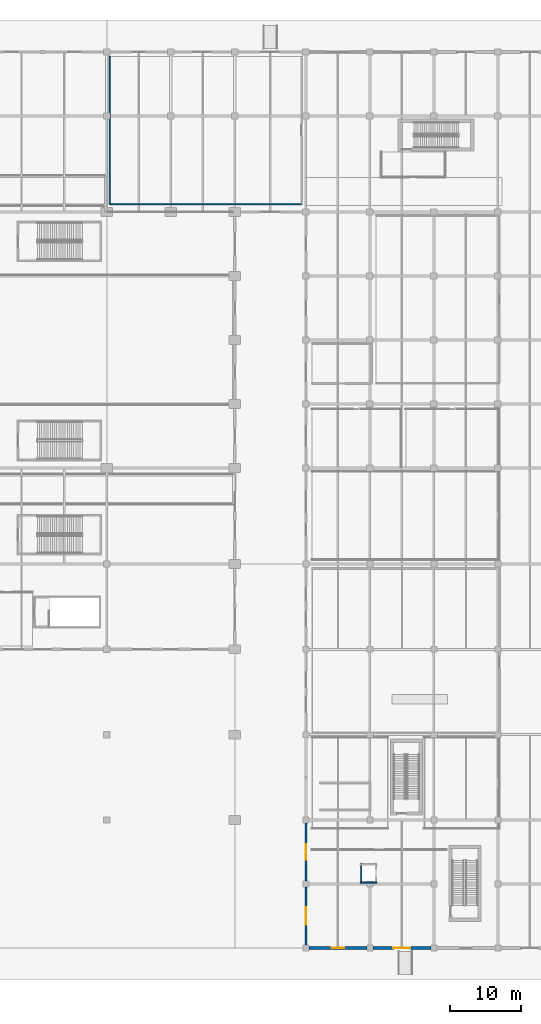
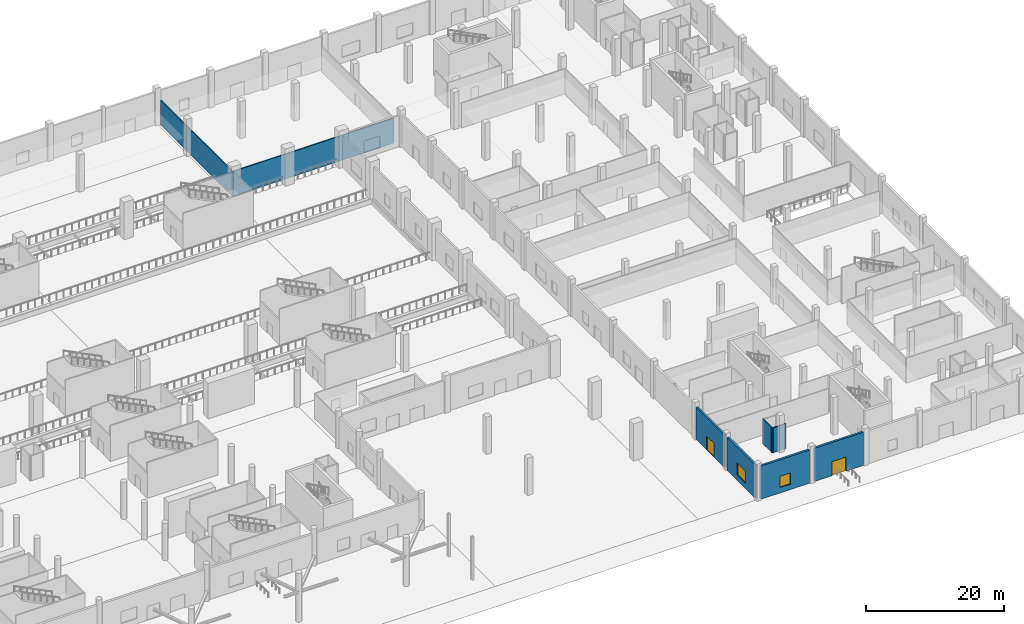
# One storey, part 21 of 65: 8 walls, 2 doors, 2 windows, 4 openings.
"""IFC4 building model written with IfcOpenShell, lengths in metres."""

from ifc_helpers import new_model, si_unit, direction, frame, frame_2d, origin, place, context, subcontext, project, spatial, rectangle, extrude, material, layer, layer_set, type_object, element, fill, save


model = new_model("IFC4")

# Units and contexts
model_context = context("Model", 3, precision=1e-05, world=origin(), true_north=direction((0.0, 1.0)))
body_context = subcontext(model_context, "Body", "Model", "MODEL_VIEW")
ifc_project = project(units=[si_unit("LENGTHUNIT", "METRE"), si_unit("AREAUNIT", "SQUARE_METRE"), si_unit("VOLUMEUNIT", "CUBIC_METRE"), si_unit("PLANEANGLEUNIT", "RADIAN"), si_unit("MASSUNIT", "GRAM", prefix="KILO")], contexts=[model_context])

# Site, building, storey
site_placement = place(None, origin())
site = spatial("IfcSite", under=ifc_project, at=site_placement, CompositionType="ELEMENT")
building_placement = place(site_placement, origin())
building = spatial("IfcBuilding", under=site, at=building_placement, Name="Chuanluo Vaults Station", CompositionType="ELEMENT")
storey_placement = place(building_placement, origin())
storey = spatial("IfcBuildingStorey", under=building, at=storey_placement, Name="L00", CompositionType="ELEMENT", Elevation=0.0)

# Wall, opening, window
ifc_material_1 = material(Name="Concrete C40", Category="concrete")
ifc_layer_1 = layer(ifc_material_1, 0.320068359375)
ifc_layer_set_1 = layer_set([ifc_layer_1], Name="Concrete C40")
wall_type_1 = type_object("IfcWallType", Name="WL-EXT-320", PredefinedType="SOLIDWALL", material=ifc_layer_set_1)
wall_1_placement = place(storey_placement, frame((136.0, 0.39990234375, 0.0), z_axis=(0.0, 0.0, 1.0), x_axis=(0.0, 1.0, 0.0)))
wall_1 = element("IfcWall", 1, at=wall_1_placement, inside=storey, type_object=wall_type_1, Name="Retail pavilion west wall 1", PredefinedType="SOLIDWALL", context=body_context, shape_type="SweptSolid", body=[
    extrude(rectangle(XDim=8.2001953125, YDim=0.320068359375, at=frame_2d((4.10009765625, 0.0))), origin(), (0.0, 0.0, 1.0), 5.875),
])
opening_1_placement = place(wall_1_placement, frame((2.89990234375, 0.0, 0.949951171875)))
opening_1 = element("IfcOpeningElement", 2, at=opening_1_placement, cuts=wall_1, Name="Opening W-18", PredefinedType="OPENING", context=body_context, shape_type="SweptSolid", body=[
    extrude(rectangle(XDim=2.39990234375, YDim=2.10009765625, at=frame_2d((1.199951171875, 1.050048828125))), frame((0.0, 0.17016, 0.0), z_axis=(0.0, -1.0, 0.0), x_axis=(1.0, 0.0, 0.0)), (0.0, 0.0, 1.0), 0.34007),
])
ifc_material_2 = material(Name="Double-silver Low-E laminated glass", Category="glass")
window_type_1 = type_object("IfcWindowType", Name="WN-RET-2400x2100", PartitioningType="SINGLE_PANEL", PredefinedType="WINDOW", material=ifc_material_2)
window_1_placement = place(opening_1_placement, origin())
window_1 = element("IfcWindow", 3, at=window_1_placement, inside=storey, type_object=window_type_1, Name="W-039 Ground streetwall window", OverallHeight=2.10009765625, OverallWidth=2.39990234375, PartitioningType="SINGLE_PANEL", PredefinedType="WINDOW", context=body_context, shape_type="SweptSolid", body=[
    extrude(rectangle(XDim=2.39990234375, YDim=2.10009765625, at=frame_2d((1.199951171875, 1.050048828125))), frame((0.0, 0.030029296875, 0.0), z_axis=(0.0, -1.0, 0.0), x_axis=(1.0, 0.0, 0.0)), (0.0, 0.0, 1.0), 0.06005859375),
])
fill(opening_1, window_1)

# Wall, opening, door
wall_2_placement = place(storey_placement, frame((136.0, 9.39990234375, 0.0), z_axis=(0.0, 0.0, 1.0), x_axis=(0.0, 1.0, 0.0)))
wall_2 = element("IfcWall", 4, at=wall_2_placement, inside=storey, type_object=wall_type_1, Name="Retail pavilion west wall 2", PredefinedType="SOLIDWALL", context=body_context, shape_type="SweptSolid", body=[
    extrude(rectangle(XDim=8.2001953125, YDim=0.320068359375, at=frame_2d((4.10009765625, 0.0))), origin(), (0.0, 0.0, 1.0), 5.784912109375),
])
opening_2_placement = place(wall_2_placement, frame((3.0, 0.0, 0.0)))
opening_2 = element("IfcOpeningElement", 5, at=opening_2_placement, cuts=wall_2, Name="Opening D-E05", PredefinedType="OPENING", context=body_context, shape_type="SweptSolid", body=[
    extrude(rectangle(XDim=2.199951171875, YDim=2.449951171875, at=frame_2d((1.10009765625, 1.22509765625))), frame((0.0, 0.17016, 0.0), z_axis=(0.0, -1.0, 0.0), x_axis=(1.0, 0.0, 0.0)), (0.0, 0.0, 1.0), 0.34007),
])
ifc_material_3 = material(Name="Anodised aluminium 6063-T6", Category="aluminium")
door_type_1 = type_object("IfcDoorType", Name="DR-EXT-2200x2450", OperationType="NOTDEFINED", PredefinedType="DOOR", material=ifc_material_3)
door_1_placement = place(opening_2_placement, origin())
door_1 = element("IfcDoor", 6, at=door_1_placement, inside=storey, type_object=door_type_1, Name="D-032 Retail pavilion west wall 2 exit door", OperationType="SINGLE_SWING_RIGHT", OverallHeight=2.449951171875, OverallWidth=2.199951171875, PredefinedType="DOOR", context=body_context, shape_type="SweptSolid", body=[
    extrude(rectangle(XDim=2.199951171875, YDim=2.449951171875, at=frame_2d((1.10009765625, 1.22509765625))), frame((0.0, 0.02490234375, 0.0), z_axis=(0.0, -1.0, 0.0), x_axis=(1.0, 0.0, 0.0)), (0.0, 0.0, 1.0), 0.050048828125),
])
fill(opening_2, door_1)

# Wall, opening, window
ifc_material_4 = material(Name="Concrete C50", Category="concrete")
ifc_layer_2 = layer(ifc_material_4, 0.360107421875)
ifc_layer_set_2 = layer_set([ifc_layer_2], Name="Concrete C50")
wall_type_2 = type_object("IfcWallType", Name="WL-EXT-360", PredefinedType="SOLIDWALL", material=ifc_layer_set_2)
wall_3_placement = place(storey_placement, frame((144.60009765625, 0.0, 0.0), z_axis=(0.0, 0.0, 1.0), x_axis=(-1.0, 0.0, 0.0)))
wall_3 = element("IfcWall", 7, at=wall_3_placement, inside=storey, type_object=wall_type_2, Name="Retail south streetwall 1", PredefinedType="SOLIDWALL", context=body_context, shape_type="SweptSolid", body=[
    extrude(rectangle(XDim=8.2001953125, YDim=0.360107421875, at=frame_2d((4.10009765625, 0.0))), origin(), (0.0, 0.0, 1.0), 5.875),
])
opening_3_placement = place(wall_3_placement, frame((3.199951171875, 0.0, 0.949951171875)))
opening_3 = element("IfcOpeningElement", 8, at=opening_3_placement, cuts=wall_3, Name="Opening W-20", PredefinedType="OPENING", context=body_context, shape_type="SweptSolid", body=[
    extrude(rectangle(XDim=1.800048828125, YDim=2.0, at=frame_2d((0.89990234375, 1.0))), frame((0.0, 0.19018, 0.0), z_axis=(0.0, -1.0, 0.0), x_axis=(1.0, 0.0, 0.0)), (0.0, 0.0, 1.0), 0.38011),
])
ifc_material_5 = material(Name="Double-silver Low-E laminated glass", Category="glass")
window_type_2 = type_object("IfcWindowType", Name="WN-RET-1800x2000", PartitioningType="SINGLE_PANEL", PredefinedType="WINDOW", material=ifc_material_5)
window_2_placement = place(opening_3_placement, origin())
window_2 = element("IfcWindow", 9, at=window_2_placement, inside=storey, type_object=window_type_2, Name="W-047 Ground streetwall window", OverallHeight=2.0, OverallWidth=1.800048828125, PartitioningType="SINGLE_PANEL", PredefinedType="WINDOW", context=body_context, shape_type="SweptSolid", body=[
    extrude(rectangle(XDim=1.800048828125, YDim=2.0, at=frame_2d((0.89990234375, 1.0))), frame((0.0, 0.030029296875, 0.0), z_axis=(0.0, -1.0, 0.0), x_axis=(1.0, 0.0, 0.0)), (0.0, 0.0, 1.0), 0.06005859375),
])
fill(opening_3, window_2)

# Wall, opening, door
wall_4_placement = place(storey_placement, frame((153.60009765625, 0.0, 0.0), z_axis=(0.0, 0.0, 1.0), x_axis=(-1.0, 0.0, 0.0)))
wall_4 = element("IfcWall", 10, at=wall_4_placement, inside=storey, type_object=wall_type_2, Name="Retail south streetwall 2", PredefinedType="SOLIDWALL", context=body_context, shape_type="SweptSolid", body=[
    extrude(rectangle(XDim=8.2001953125, YDim=0.360107421875, at=frame_2d((4.10009765625, 0.0))), origin(), (0.0, 0.0, 1.0), 5.875),
])
opening_4_placement = place(wall_4_placement, frame((2.89990234375, 0.0, 0.0)))
opening_4 = element("IfcOpeningElement", 11, at=opening_4_placement, cuts=wall_4, Name="Opening D-E04", PredefinedType="OPENING", context=body_context, shape_type="SweptSolid", body=[
    extrude(rectangle(XDim=2.39990234375, YDim=2.5, at=frame_2d((1.199951171875, 1.25))), frame((0.0, 0.19018, 0.0), z_axis=(0.0, -1.0, 0.0), x_axis=(1.0, 0.0, 0.0)), (0.0, 0.0, 1.0), 0.38011),
])
ifc_material_6 = material(Name="Anodised aluminium 6063-T6", Category="aluminium")
door_type_2 = type_object("IfcDoorType", Name="DR-EXT-2400x2500", OperationType="NOTDEFINED", PredefinedType="DOOR", material=ifc_material_6)
door_2_placement = place(opening_4_placement, origin())
door_2 = element("IfcDoor", 12, at=door_2_placement, inside=storey, type_object=door_type_2, Name="D-036 Retail south streetwall 2 exit door", OperationType="SINGLE_SWING_RIGHT", OverallHeight=2.5, OverallWidth=2.39990234375, PredefinedType="DOOR", context=body_context, shape_type="SweptSolid", body=[
    extrude(rectangle(XDim=2.39990234375, YDim=2.5, at=frame_2d((1.199951171875, 1.25))), frame((0.0, 0.02490234375, 0.0), z_axis=(0.0, -1.0, 0.0), x_axis=(1.0, 0.0, 0.0)), (0.0, 0.0, 1.0), 0.050048828125),
])
fill(opening_4, door_2)

# Walls
ifc_material_7 = material(Name="Autoclaved aerated concrete blockwork MU10", Category="masonry")
ifc_layer_3 = layer(ifc_material_7, 0.175048828125)
ifc_layer_set_3 = layer_set([ifc_layer_3], Name="Autoclaved aerated concrete blockwork MU10")
wall_type_3 = type_object("IfcWallType", Name="WL-PRT-175", PredefinedType="PARTITIONING", material=ifc_layer_set_3)
wall_5_placement = place(storey_placement, frame((135.39990234375, 104.60009765625, 0.0), z_axis=(0.0, 0.0, 1.0), x_axis=(-1.0, 0.0, 0.0)))
element("IfcWall", 13, at=wall_5_placement, inside=storey, type_object=wall_type_3, Name="L00-12 North-West Station Police and Lost Property S partition", PredefinedType="PARTITIONING", context=body_context, shape_type="SweptSolid", body=[
    extrude(rectangle(XDim=27.0, YDim=0.175048828125, at=frame_2d((13.5, 0.0))), origin(), (0.0, 0.0, 1.0), 4.39990234375),
])
wall_6_placement = place(storey_placement, frame((108.39990234375, 104.60009765625, 0.0), z_axis=(0.0, 0.0, 1.0), x_axis=(0.0, 1.0, 0.0)))
element("IfcWall", 14, at=wall_6_placement, inside=storey, type_object=wall_type_3, Name="L00-12 North-West Station Police and Lost Property W partition", PredefinedType="PARTITIONING", context=body_context, shape_type="SweptSolid", body=[
    extrude(rectangle(XDim=20.7998046875, YDim=0.175048828125, at=frame_2d((10.39990234375, 0.0))), origin(), (0.0, 0.0, 1.0), 4.39990234375),
])
ifc_material_8 = material(Name="Concrete C40", Category="concrete")
ifc_layer_4 = layer(ifc_material_8, 0.199951171875)
ifc_layer_set_4 = layer_set([ifc_layer_4], Name="Concrete C40")
wall_type_4 = type_object("IfcWallType", Name="WL-SHF-200", PredefinedType="SOLIDWALL", material=ifc_layer_set_4)
wall_7_placement = place(storey_placement, frame((143.6298828125, 9.22998046875, 0.0), z_axis=(0.0, 0.0, 1.0), x_axis=(1.0, 0.0, 0.0)))
element("IfcWall", 15, at=wall_7_placement, inside=storey, type_object=wall_type_4, Name="Lift EL-02 shaft wall L00 -Y", PredefinedType="SOLIDWALL", context=body_context, shape_type="SweptSolid", body=[
    extrude(rectangle(XDim=2.340087890625, YDim=0.199951171875, at=frame_2d((1.169921875, 0.0))), origin(), (0.0, 0.0, 1.0), 4.39990234375),
])
wall_8_placement = place(storey_placement, frame((143.780029296875, 11.919921875, 0.0), z_axis=(0.0, 0.0, 1.0), x_axis=(0.0, -1.0, 0.0)))
element("IfcWall", 16, at=wall_8_placement, inside=storey, type_object=wall_type_4, Name="Lift EL-02 shaft wall L00 -X", PredefinedType="SOLIDWALL", context=body_context, shape_type="SweptSolid", body=[
    extrude(rectangle(XDim=2.83984375, YDim=0.199951171875, at=frame_2d((1.419921875, 0.0))), origin(), (0.0, 0.0, 1.0), 4.39990234375),
])

save(model, "model.ifc")
